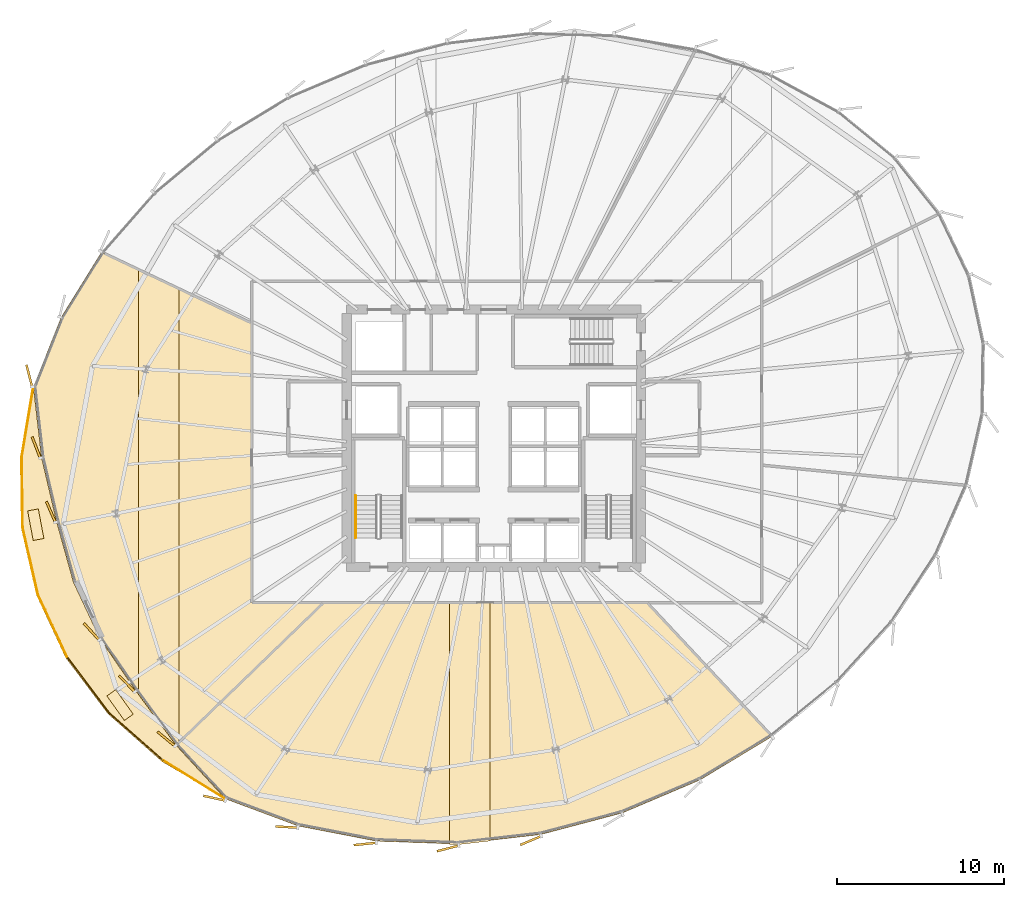
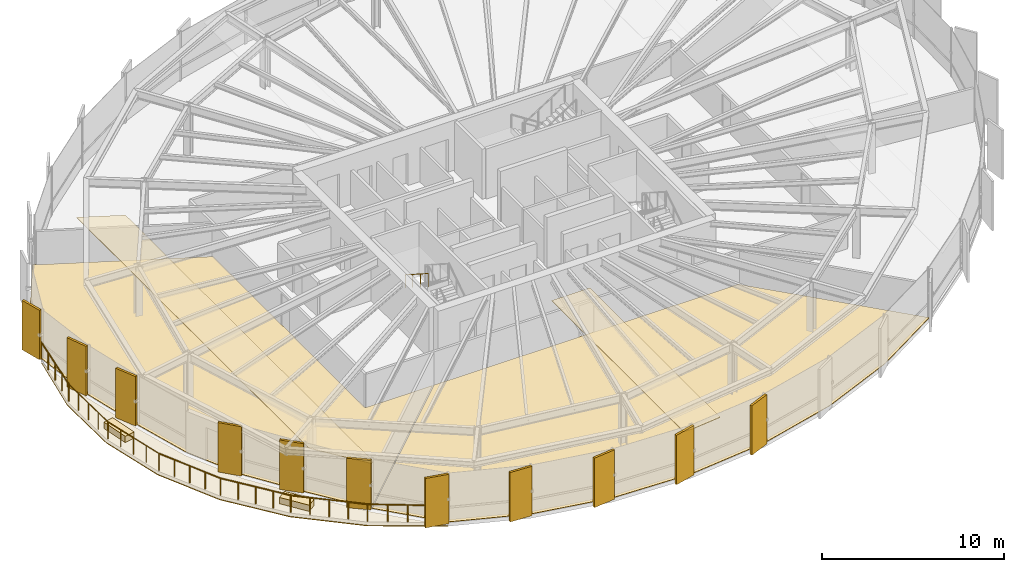
# One storey, part 30 of 33: 18 coverings, 8 railings.
"""IFC4 building model written with IfcOpenShell, lengths in metres."""

from ifc_helpers import new_model, si_unit, direction, frame, origin, origin_2d, place, context, subcontext, project, spatial, polyline, rectangle, circle, outline, extrude, source, transform, mapped, material, layer, layer_set, type_object, element, save


model = new_model("IFC4")

# Units and contexts
model_context = context("Model", 3, precision=1e-05, world=origin(), true_north=direction((0.0, 1.0)))
body_context = subcontext(model_context, "Body", "Model", "MODEL_VIEW")
ifc_project = project(units=[si_unit("LENGTHUNIT", "METRE"), si_unit("AREAUNIT", "SQUARE_METRE"), si_unit("VOLUMEUNIT", "CUBIC_METRE"), si_unit("PLANEANGLEUNIT", "RADIAN"), si_unit("MASSUNIT", "GRAM", prefix="KILO"), si_unit("THERMODYNAMICTEMPERATUREUNIT", "KELVIN")], contexts=[model_context])

# Site, building, storey
site_placement = place(None, origin())
site = spatial("IfcSite", under=ifc_project, at=site_placement, CompositionType="ELEMENT")
building_placement = place(site_placement, origin())
building = spatial("IfcBuilding", under=site, at=building_placement, Name="Kethvar Cultural Tower", CompositionType="ELEMENT")
storey_placement = place(building_placement, frame((0.0, 0.0, 110.800048828125)))
storey = spatial("IfcBuildingStorey", under=building, at=storey_placement, Name="L27", CompositionType="ELEMENT", Elevation=110.800048828125)

# Coverings
ifc_material_1 = material(Name="Acoustic Mineral Fibre Ceiling")
ifc_layer_1 = layer(ifc_material_1, 0.0400390625, Name="Acoustic Mineral Fibre Ceiling")
ifc_layer_set_1 = layer_set([ifc_layer_1], Name="Acoustic Mineral Fibre Ceiling (40 mm)")
covering_type_1 = type_object("IfcCoveringType", Name="CV-ACOUSTIC-CEIL", PredefinedType="CEILING", material=ifc_layer_set_1)
covering_1_placement = place(storey_placement, frame((0.0, 0.0, 3.0)))
element("IfcCovering", 1, at=covering_1_placement, inside=storey, type_object=covering_type_1, Name="L27 Room 01 Acoustic Ceiling Panel", PredefinedType="CEILING", context=body_context, shape_type="SweptSolid", body=[
    extrude(outline(polyline([(44.66064453125, 3.498779296875), (44.14501953125, 3.516845703125), (44.14501953125, 18.0), (46.574951171875, 18.0), (46.574951171875, 3.71728515625), (44.66064453125, 3.498779296875)])), origin(), (0.0, 0.0, 1.0), 0.0400390625),
])
covering_2_placement = place(storey_placement, frame((0.0, 0.0, 3.0)))
element("IfcCovering", 2, at=covering_2_placement, inside=storey, type_object=covering_type_1, Name="L27 Room 06 Acoustic Ceiling Panel", PredefinedType="CEILING", context=body_context, shape_type="SweptSolid", body=[
    extrude(outline(polyline([(27.981689453125, 36.77099609375), (27.981689453125, 9.599609375), (27.793212890625, 9.42626953125), (25.551513671875, 12.4423828125), (25.551513671875, 37.926513671875), (27.981689453125, 36.77099609375)])), origin(), (0.0, 0.0, 1.0), 0.0400390625),
])
ifc_material_2 = material(Name="Architectural Oak Timber", Category="wood")
ifc_layer_2 = layer(ifc_material_2, 0.02490234375, Name="Architectural Oak Timber", Category="wood")
ifc_layer_set_2 = layer_set([ifc_layer_2], Name="Architectural Oak Timber (25 mm)")
covering_type_2 = type_object("IfcCoveringType", Name="CV-OAK-FLOOR", PredefinedType="FLOORING", material=ifc_layer_set_2)
covering_3_placement = place(storey_placement, origin())
element("IfcCovering", 3, at=covering_3_placement, inside=storey, type_object=covering_type_2, Name="L27 Room 01 Floor Finish", PredefinedType="FLOORING", context=body_context, shape_type="SweptSolid", body=[
    extrude(outline(polyline([(63.420654296875, 9.957763671875), (59.119140625, 7.3603515625), (54.472900390625, 5.388916015625), (49.60791015625, 4.103759765625), (44.657470703125, 3.538818359375), (39.7724609375, 3.711181640625), (35.100830078125, 4.615478515625), (30.787841796875, 6.22314453125), (27.822021484375, 9.4453125), (36.63916015625, 17.9599609375), (55.9541015625, 17.9599609375), (63.420654296875, 9.957763671875)])), origin(), (0.0, 0.0, 1.0), 0.02490234375),
])
covering_4_placement = place(storey_placement, origin())
element("IfcCovering", 4, at=covering_4_placement, inside=storey, type_object=covering_type_2, Name="L27 Room 06 Floor Finish", PredefinedType="FLOORING", context=body_context, shape_type="SweptSolid", body=[
    extrude(outline(polyline([(25.414306640625, 12.69482421875), (23.2626953125, 15.8251953125), (21.680908203125, 19.200439453125), (20.676513671875, 22.808837890625), (19.7744140625, 26.647216796875), (19.28515625, 30.8994140625), (20.921875, 35.032470703125), (23.33740234375, 38.93505859375), (32.31005859375, 34.668212890625), (32.310791015625, 17.97412109375), (36.58154296875, 17.9599609375), (27.79638671875, 9.476318359375), (25.414306640625, 12.69482421875)])), origin(), (0.0, 0.0, 1.0), 0.02490234375),
])
ifc_material_3 = material(Name="Insulated Waterproofing Membrane")
ifc_layer_3 = layer(ifc_material_3, 0.06005859375, Name="Insulated Waterproofing Membrane")
ifc_layer_set_3 = layer_set([ifc_layer_3], Name="Insulated Waterproofing Membrane (60 mm)")
covering_type_3 = type_object("IfcCoveringType", Name="CV-ROOF-MEMB", PredefinedType="ROOFING", material=ifc_layer_set_3)
covering_5_placement = place(storey_placement, frame((0.0, 0.0, -0.275146484375)))
element("IfcCovering", 5, at=covering_5_placement, inside=storey, type_object=covering_type_3, Name="L27 Terrace Waterproofing", PredefinedType="ROOFING", context=body_context, shape_type="SweptSolid", body=[
    extrude(outline(polyline([(19.264892578125, 30.902099609375), (18.46240234375, 26.668701171875), (18.52099609375, 22.469482421875), (19.43896484375, 18.43212890625), (21.18798828125, 14.6796875), (23.715576171875, 11.32568359375), (26.9443359375, 8.472412109375), (30.7763671875, 6.2060546875), (27.7939453125, 9.4462890625), (25.398193359375, 12.683349609375), (23.245361328125, 15.815185546875), (21.662109375, 19.193359375), (20.656982421875, 22.803955078125), (19.754638671875, 26.643798828125), (19.264892578125, 30.902099609375)])), origin(), (0.0, 0.0, 1.0), 0.06005859375),
])

# Railings
ifc_material_4 = material(Name="Steel S355J2", Category="steel")
railing_type_1 = type_object("IfcRailingType", Name="RL-EXT-GUARD-1150", PredefinedType="BALUSTRADE", material=ifc_material_4)
railing_1_placement = place(storey_placement, frame((19.264892578125, 30.902099609375, 0.0)))
element("IfcRailing", 6, at=railing_1_placement, inside=storey, type_object=railing_type_1, Name="L27 Spiralling Terrace Balustrade 01", PredefinedType="BALUSTRADE", context=body_context, shape_type="SweptSolid", body=[
    extrude(circle(Radius=0.02392578125, at=origin_2d()), frame((0.0, 0.0, 1.1259765625), z_axis=(-0.163881861008, -0.986479972241, 0.0), x_axis=(0.986479972241, -0.163881861008, 0.0)), (0.0, 0.0, 1.0), 4.287353515625),
    extrude(circle(Radius=0.02099609375, at=origin_2d()), origin(), (0.0, 0.0, 1.0), 1.101806640625),
    extrude(circle(Radius=0.02099609375, at=origin_2d()), frame((-0.17578125, -1.057373046875, 0.0)), (0.0, 0.0, 1.0), 1.101806640625),
    extrude(circle(Radius=0.02099609375, at=origin_2d()), frame((-0.351318359375, -2.11474609375, 0.0)), (0.0, 0.0, 1.0), 1.101806640625),
    extrude(circle(Radius=0.02099609375, at=origin_2d()), frame((-0.52685546875, -3.172119140625, 0.0)), (0.0, 0.0, 1.0), 1.101806640625),
    extrude(circle(Radius=0.02099609375, at=origin_2d()), frame((-0.70263671875, -4.2294921875, 0.0)), (0.0, 0.0, 1.0), 1.101806640625),
])
railing_2_placement = place(storey_placement, frame((18.562255859375, 26.672607421875, 0.0)))
element("IfcRailing", 7, at=railing_2_placement, inside=storey, type_object=railing_type_1, Name="L27 Spiralling Terrace Balustrade 02", PredefinedType="BALUSTRADE", context=body_context, shape_type="SweptSolid", body=[
    extrude(circle(Radius=0.02392578125, at=origin_2d()), frame((0.0, 0.0, 1.1259765625), z_axis=(0.013650207024, -0.999906831584, 0.0), x_axis=(0.999906831584, 0.013650207024, 0.0)), (0.0, 0.0, 1.0), 4.185302734375),
    extrude(circle(Radius=0.02099609375, at=origin_2d()), origin(), (0.0, 0.0, 1.0), 1.101806640625),
    extrude(circle(Radius=0.02099609375, at=origin_2d()), frame((0.01416015625, -1.046142578125, 0.0)), (0.0, 0.0, 1.0), 1.101806640625),
    extrude(circle(Radius=0.02099609375, at=origin_2d()), frame((0.028564453125, -2.09228515625, 0.0)), (0.0, 0.0, 1.0), 1.101806640625),
    extrude(circle(Radius=0.02099609375, at=origin_2d()), frame((0.04296875, -3.138671875, 0.0)), (0.0, 0.0, 1.0), 1.101806640625),
    extrude(circle(Radius=0.02099609375, at=origin_2d()), frame((0.05712890625, -4.184814453125, 0.0)), (0.0, 0.0, 1.0), 1.101806640625),
])
railing_3_placement = place(storey_placement, frame((18.619384765625, 22.48779296875, 0.0)))
element("IfcRailing", 8, at=railing_3_placement, inside=storey, type_object=railing_type_1, Name="L27 Spiralling Terrace Balustrade 03", PredefinedType="BALUSTRADE", context=body_context, shape_type="SweptSolid", body=[
    extrude(circle(Radius=0.02392578125, at=origin_2d()), frame((0.0, 0.0, 1.1259765625), z_axis=(0.221552045893, -0.975148548151, 0.0), x_axis=(0.975148548151, 0.221552045893, 0.0)), (0.0, 0.0, 1.0), 4.125732421875),
    extrude(circle(Radius=0.02099609375, at=origin_2d()), origin(), (0.0, 0.0, 1.0), 1.101806640625),
    extrude(circle(Radius=0.02099609375, at=origin_2d()), frame((0.228515625, -1.005859375, 0.0)), (0.0, 0.0, 1.0), 1.101806640625),
    extrude(circle(Radius=0.02099609375, at=origin_2d()), frame((0.45703125, -2.01171875, 0.0)), (0.0, 0.0, 1.0), 1.101806640625),
    extrude(circle(Radius=0.02099609375, at=origin_2d()), frame((0.685546875, -3.017333984375, 0.0)), (0.0, 0.0, 1.0), 1.101806640625),
    extrude(circle(Radius=0.02099609375, at=origin_2d()), frame((0.9140625, -4.023193359375, 0.0)), (0.0, 0.0, 1.0), 1.101806640625),
])
railing_4_placement = place(storey_placement, frame((19.533447265625, 18.464599609375, 0.0)))
element("IfcRailing", 9, at=railing_4_placement, inside=storey, type_object=railing_type_1, Name="L27 Spiralling Terrace Balustrade 04", PredefinedType="BALUSTRADE", context=body_context, shape_type="SweptSolid", body=[
    extrude(circle(Radius=0.02392578125, at=origin_2d()), frame((0.0, 0.0, 1.1259765625), z_axis=(0.422597148725, -0.906317631898, 0.0), x_axis=(0.906317631898, 0.422597148725, 0.0)), (0.0, 0.0, 1.0), 4.1259765625),
    extrude(circle(Radius=0.02099609375, at=origin_2d()), origin(), (0.0, 0.0, 1.0), 1.101806640625),
    extrude(circle(Radius=0.02099609375, at=origin_2d()), frame((0.43603515625, -0.934814453125, 0.0)), (0.0, 0.0, 1.0), 1.101806640625),
    extrude(circle(Radius=0.02099609375, at=origin_2d()), frame((0.871826171875, -1.86962890625, 0.0)), (0.0, 0.0, 1.0), 1.101806640625),
    extrude(circle(Radius=0.02099609375, at=origin_2d()), frame((1.3076171875, -2.8046875, 0.0)), (0.0, 0.0, 1.0), 1.101806640625),
    extrude(circle(Radius=0.02099609375, at=origin_2d()), frame((1.74365234375, -3.739501953125, 0.0)), (0.0, 0.0, 1.0), 1.101806640625),
])
railing_5_placement = place(storey_placement, frame((21.277099609375, 14.72509765625, 0.0)))
element("IfcRailing", 10, at=railing_5_placement, inside=storey, type_object=railing_type_1, Name="L27 Spiralling Terrace Balustrade 05", PredefinedType="BALUSTRADE", context=body_context, shape_type="SweptSolid", body=[
    extrude(circle(Radius=0.02392578125, at=origin_2d()), frame((0.0, 0.0, 1.1259765625), z_axis=(0.602107419361, -0.798415089756, 0.0), x_axis=(0.798415089756, 0.602107419361, 0.0)), (0.0, 0.0, 1.0), 4.184814453125),
    extrude(circle(Radius=0.02099609375, at=origin_2d()), origin(), (0.0, 0.0, 1.0), 1.101806640625),
    extrude(circle(Radius=0.02099609375, at=origin_2d()), frame((0.6298828125, -0.83544921875, 0.0)), (0.0, 0.0, 1.0), 1.101806640625),
    extrude(circle(Radius=0.02099609375, at=origin_2d()), frame((1.259765625, -1.670654296875, 0.0)), (0.0, 0.0, 1.0), 1.101806640625),
    extrude(circle(Radius=0.02099609375, at=origin_2d()), frame((1.889892578125, -2.505859375, 0.0)), (0.0, 0.0, 1.0), 1.101806640625),
    extrude(circle(Radius=0.02099609375, at=origin_2d()), frame((2.519775390625, -3.34130859375, 0.0)), (0.0, 0.0, 1.0), 1.101806640625),
])
railing_6_placement = place(storey_placement, frame((23.796875, 11.3837890625, 0.0)))
element("IfcRailing", 11, at=railing_6_placement, inside=storey, type_object=railing_type_1, Name="L27 Spiralling Terrace Balustrade 06", PredefinedType="BALUSTRADE", context=body_context, shape_type="SweptSolid", body=[
    extrude(circle(Radius=0.02392578125, at=origin_2d()), frame((0.0, 0.0, 1.1259765625), z_axis=(0.749688509235, -0.661790857538, 0.0), x_axis=(0.661790857538, 0.749688509235, 0.0)), (0.0, 0.0, 1.0), 4.294189453125),
    extrude(circle(Radius=0.02099609375, at=origin_2d()), origin(), (0.0, 0.0, 1.0), 1.101806640625),
    extrude(circle(Radius=0.02099609375, at=origin_2d()), frame((0.8046875, -0.71044921875, 0.0)), (0.0, 0.0, 1.0), 1.101806640625),
    extrude(circle(Radius=0.02099609375, at=origin_2d()), frame((1.609619140625, -1.4208984375, 0.0)), (0.0, 0.0, 1.0), 1.101806640625),
    extrude(circle(Radius=0.02099609375, at=origin_2d()), frame((2.41455078125, -2.13134765625, 0.0)), (0.0, 0.0, 1.0), 1.101806640625),
    extrude(circle(Radius=0.02099609375, at=origin_2d()), frame((3.21923828125, -2.841796875, 0.0)), (0.0, 0.0, 1.0), 1.101806640625),
])
railing_7_placement = place(storey_placement, frame((27.01611328125, 8.5419921875, 0.0)))
element("IfcRailing", 12, at=railing_7_placement, inside=storey, type_object=railing_type_1, Name="L27 Spiralling Terrace Balustrade 07", PredefinedType="BALUSTRADE", context=body_context, shape_type="SweptSolid", body=[
    extrude(circle(Radius=0.02392578125, at=origin_2d()), frame((0.0, 0.0, 1.1259765625), z_axis=(0.849439003686, -0.527686819067, 0.0), x_axis=(0.527686819067, 0.849439003686, 0.0)), (0.0, 0.0, 1.0), 4.4267578125),
    extrude(circle(Radius=0.02099609375, at=origin_2d()), origin(), (0.0, 0.0, 1.0), 1.101806640625),
    extrude(circle(Radius=0.02099609375, at=origin_2d()), frame((0.93994140625, -0.583984375, 0.0)), (0.0, 0.0, 1.0), 1.101806640625),
    extrude(circle(Radius=0.02099609375, at=origin_2d()), frame((1.880126953125, -1.16796875, 0.0)), (0.0, 0.0, 1.0), 1.101806640625),
    extrude(circle(Radius=0.02099609375, at=origin_2d()), frame((2.8203125, -1.751953125, 0.0)), (0.0, 0.0, 1.0), 1.101806640625),
    extrude(circle(Radius=0.02099609375, at=origin_2d()), frame((3.76025390625, -2.3359375, 0.0)), (0.0, 0.0, 1.0), 1.101806640625),
])
railing_type_2 = type_object("IfcRailingType", Name="RL-STAIR-HANDRAIL", PredefinedType="HANDRAIL", material=ifc_material_4)
railing_8_placement = place(storey_placement, frame((38.5400390625, 24.3701171875, 1.97998046875)))
element("IfcRailing", 13, at=railing_8_placement, inside=storey, type_object=railing_type_2, Name="L27 ST-01 stair handrail 2", PredefinedType="HANDRAIL", context=body_context, shape_type="SweptSolid", body=[
    extrude(circle(Radius=0.02392578125, at=origin_2d()), frame((0.0, 0.0, 0.8759765625), z_axis=(0.0, -0.841199657755, 0.540724639528), x_axis=(1.0, 0.0, 0.0)), (0.0, 0.0, 1.0), 2.995849609375),
    extrude(circle(Radius=0.02099609375, at=origin_2d()), origin(), (0.0, 0.0, 1.0), 0.851806640625),
    extrude(circle(Radius=0.02099609375, at=origin_2d()), frame((0.0, -0.840087890625, 0.5400390625)), (0.0, 0.0, 1.0), 0.851806640625),
    extrude(circle(Radius=0.02099609375, at=origin_2d()), frame((0.0, -1.679931640625, 1.079833984375)), (0.0, 0.0, 1.0), 0.851806640625),
    extrude(circle(Radius=0.02099609375, at=origin_2d()), frame((0.0, -2.52001953125, 1.619873046875)), (0.0, 0.0, 1.0), 0.851806640625),
])

# Coverings
ifc_material_5 = material(Name="Extruded Architectural Terracotta", Category="masonry")
ifc_layer_4 = layer(ifc_material_5, 0.419921875, Name="Extruded Architectural Terracotta", Category="masonry")
ifc_layer_set_4 = layer_set([ifc_layer_4], Name="Extruded Architectural Terracotta (420 mm)")
covering_type_4 = type_object("IfcCoveringType", Name="Terracotta Terrace Planter PLANTER-01", PredefinedType="USERDEFINED", material=ifc_layer_set_4)
shared_shape_1 = source(origin(), body_context, "Body", "SweptSolid", [
    extrude(rectangle(XDim=1.800048828125, YDim=0.64990234375, at=origin_2d()), origin(), (0.0, 0.0, 1.0), 0.419921875),
])
for number, where, z_axis, x_axis, name in (
    (14, (19.405517578125, 22.635986328125, 0.0), (0.0, 0.0, 1.0), (0.18532360751, -0.982677546553, 0.0), "L27 Sky Terrace Planter Box A"),
    (15, (24.447998046875, 11.848388671875, 0.0), (0.0, 0.0, 1.0), (0.580845036828, -0.814014154172, 0.0), "L27 Sky Terrace Planter Box B"),
):
    element("IfcCovering", number, at=place(storey_placement, frame(where, z_axis=z_axis, x_axis=x_axis)), inside=storey, type_object=covering_type_4, Name=name, ObjectType="PLANTER", PredefinedType="USERDEFINED", context=body_context, shape_type="MappedRepresentation", body=[
        mapped(shared_shape_1, transform((0.0, 0.0, 0.0), scale=1.0)),
    ])
ifc_layer_5 = layer(ifc_material_5, 0.135009765625, Name="Extruded Architectural Terracotta", Category="masonry")
ifc_layer_set_5 = layer_set([ifc_layer_5], Name="Extruded Architectural Terracotta (135 mm)")
covering_type_5 = type_object("IfcCoveringType", Name="Terracotta Facade Fin FIN-02", PredefinedType="CLADDING", material=ifc_layer_set_5)
shared_shape_2 = source(origin(), body_context, "Body", "SweptSolid", [
    extrude(rectangle(XDim=1.35009765625, YDim=0.135009765625, at=origin_2d()), origin(), (0.0, 0.0, 1.0), 3.31005859375),
])
for number, where, z_axis, x_axis, name in (
    (16, (19.015625, 31.54638671875, 0.02001953125), (0.0, 0.0, 1.0), (-0.251393708421, 0.967884912253, 0.0), "L27 Vertical Terracotta Fin 3.4"),
    (17, (19.4326171875, 27.254638671875, 0.02001953125), (0.0, 0.0, 1.0), (-0.361949990445, 0.93219751363, 0.0), "L27 Vertical Terracotta Fin 3.5"),
    (18, (20.31005859375, 23.401123046875, 0.02001953125), (0.0, 0.0, 1.0), (-0.399709193175, 0.916642002579, 0.0), "L27 Vertical Terracotta Fin 3.6"),
    (19, (22.74560546875, 16.235595703125, 0.02001953125), (0.0, 0.0, 1.0), (-0.675590207616, 0.73727733681, 0.0), "L27 Vertical Terracotta Fin 4.1"),
    (20, (24.860595703125, 13.1171875, 0.02001953125), (0.0, 0.0, 1.0), (-0.701033739311, 0.713128106547, 0.0), "L27 Vertical Terracotta Fin 4.2"),
    (21, (27.21337890625, 9.8203125, 0.02001953125), (0.0, 0.0, 1.0), (-0.773065811677, 0.63432582386, 0.0), "L27 Vertical Terracotta Fin 4.3"),
    (22, (30.08935546875, 6.276611328125, 0.02001953125), (0.0, 0.0, 1.0), (-0.976522126798, 0.215417120661, 0.0), "L27 Vertical Terracotta Fin 4.4"),
    (23, (34.406005859375, 4.552490234375, 0.02001953125), (0.0, 0.0, 1.0), (-0.998665828782, 0.05163876861, 0.0), "L27 Vertical Terracotta Fin 4.5"),
    (24, (39.095947265625, 3.541015625, 0.02001953125), (0.0, 0.0, 1.0), (-0.994558322095, -0.104181303275, 0.0), "L27 Vertical Terracotta Fin 4.6"),
    (25, (44.052490234375, 3.274658203125, 0.02001953125), (0.0, 0.0, 1.0), (-0.968103926078, -0.25054897388, 0.0), "L27 Vertical Terracotta Fin 5.1"),
    (26, (49.009765625, 3.7451171875, 0.02001953125), (0.0, 0.0, 1.0), (-0.921863151589, -0.387515586452, 0.0), "L27 Vertical Terracotta Fin 5.2"),
):
    element("IfcCovering", number, at=place(storey_placement, frame(where, z_axis=z_axis, x_axis=x_axis)), inside=storey, type_object=covering_type_5, Name=name, PredefinedType="CLADDING", context=body_context, shape_type="MappedRepresentation", body=[
        mapped(shared_shape_2, transform((0.0, 0.0, 0.0), scale=1.0)),
    ])

save(model, "model.ifc")
